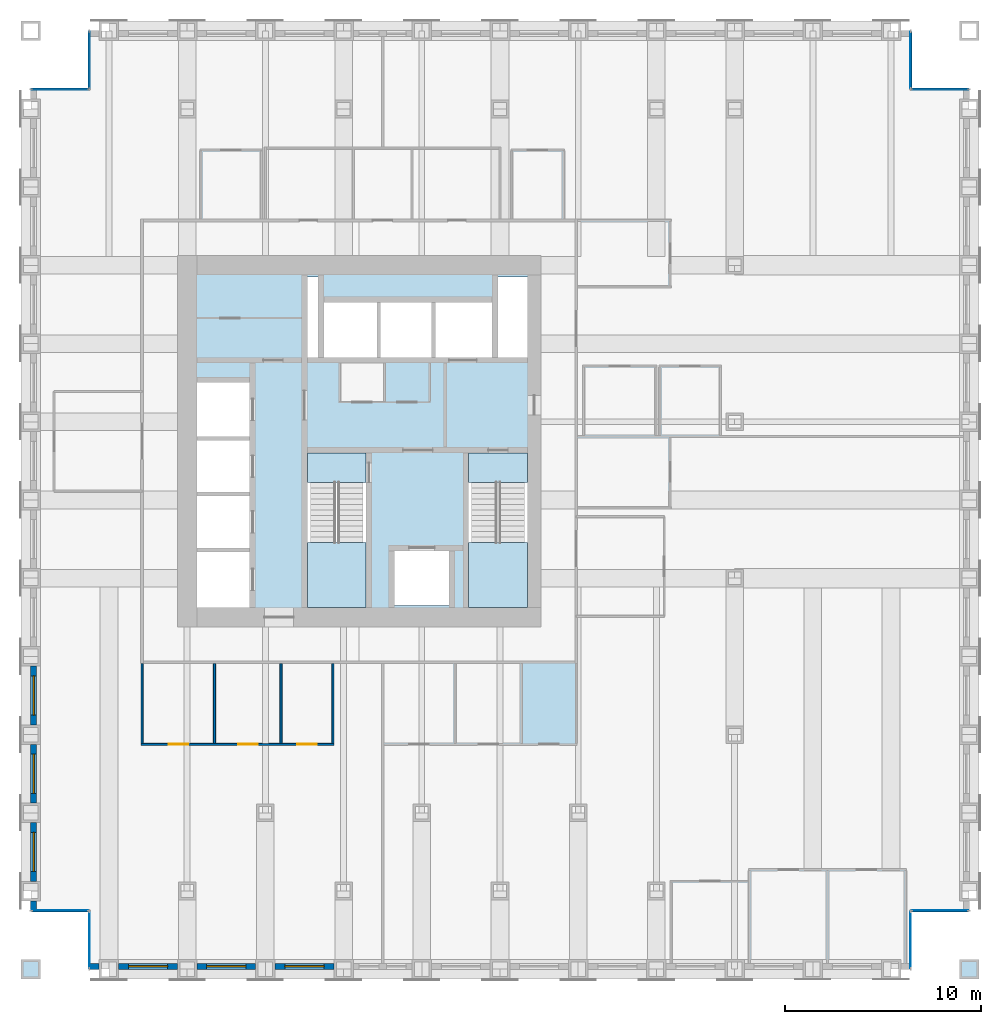
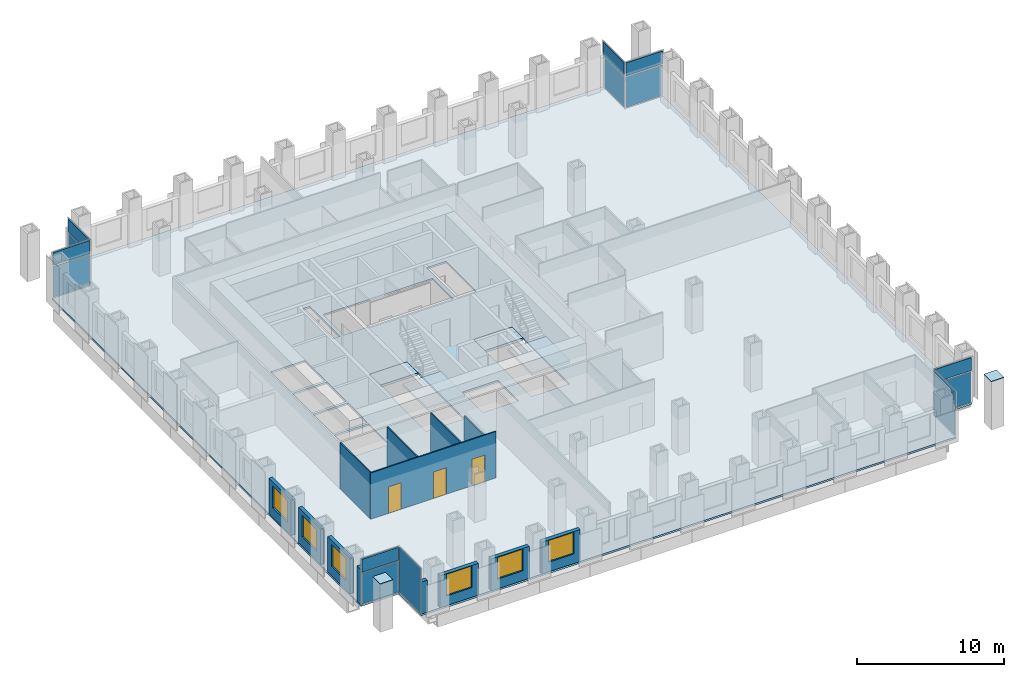
# One storey, part 10 of 17: 16 plates, 13 walls, 6 windows, 5 slabs, 3 doors, 9 openings, 16 elements without a shape of their own.
"""IFC4 building model written with IfcOpenShell, lengths in metres."""

import ifcopenshell
import ifcopenshell.guid

model = None  # the IFC model being written
_history = None  # IfcOwnerHistory: only IFC2X3 demands one
_inside = {}  # id of a spatial element -> (the spatial element, [elements in it])
_under = {}  # id of a project, library or spatial element -> (it, [spatial elements below it])
_declared = {}  # id of a project -> (the project, [libraries it declares])
_typed = {}  # id of a type object -> (the type object, [elements of that type])
_made_of = {}  # id of a material, layer set ... -> (it, [elements and type objects made of it])


def new_model(schema):
    """Start an empty IFC model of exactly this schema.

    Asked for "IFC4X3", IfcOpenShell would pick the latest addendum, in which some entities
    have other attributes; the version numbers below select the first issue.
    IFC2X3 requires an IfcOwnerHistory on every rooted entity: one is made here for all.
    """
    global model, _history
    if schema == "IFC4X3":
        model = ifcopenshell.file(schema_version=(4, 3, 0, 0))
    else:
        model = ifcopenshell.file(schema=schema)
    _inside.clear()
    _under.clear()
    _declared.clear()
    _typed.clear()
    _made_of.clear()
    _history = None
    if model.schema == "IFC2X3":
        org = make("IfcOrganization", Name="unknown")
        user = make(
            "IfcPersonAndOrganization",
            ThePerson=make("IfcPerson", FamilyName="unknown"),
            TheOrganization=org,
        )
        app = make(
            "IfcApplication",
            ApplicationDeveloper=org,
            Version="unknown",
            ApplicationFullName="unknown",
            ApplicationIdentifier="unknown",
        )
        _history = make(
            "IfcOwnerHistory",
            OwningUser=user,
            OwningApplication=app,
            ChangeAction="ADDED",
            CreationDate=0,
        )
    return model


def make(cls, **values):
    """One entity of the class cls with the attributes given. An attribute that is None is left unset."""
    return model.create_entity(
        cls, **{name: value for name, value in values.items() if value is not None}
    )


def rooted(cls, **values):
    """An entity with a GlobalId (a new one), such as an element, a storey or a relation."""
    return make(cls, GlobalId=ifcopenshell.guid.new(), OwnerHistory=_history, **values)


def si_unit(unit_type, name, prefix=None):
    """IfcSIUnit, for example si_unit("LENGTHUNIT", "METRE", prefix="MILLI")."""
    return make("IfcSIUnit", UnitType=unit_type, Prefix=prefix, Name=name)


def assignment(units):
    """IfcUnitAssignment: the units of a project."""
    return None if units is None else make("IfcUnitAssignment", Units=units)


def point(xyz):
    """IfcCartesianPoint."""
    return None if xyz is None else make("IfcCartesianPoint", Coordinates=xyz)


def direction(xyz):
    """IfcDirection."""
    return None if xyz is None else make("IfcDirection", DirectionRatios=xyz)


def frame(location, z_axis=None, x_axis=None):
    """IfcAxis2Placement3D, a coordinate frame: its origin and axes. An axis left out is left unset."""
    return make(
        "IfcAxis2Placement3D",
        Location=point(location),
        Axis=direction(z_axis),
        RefDirection=direction(x_axis),
    )


def frame_2d(location, x_axis=None):
    """IfcAxis2Placement2D, a coordinate frame in the plane: its origin and x axis."""
    return make(
        "IfcAxis2Placement2D", Location=point(location), RefDirection=direction(x_axis)
    )


def origin():
    """The frame at (0, 0, 0) with its axes left unset."""
    return frame((0.0, 0.0, 0.0))


def origin_2d():
    """The frame at (0, 0) in the plane with its x axis left unset."""
    return frame_2d((0.0, 0.0))


def place(relative_to, where):
    """IfcLocalPlacement: puts the frame where relative to a parent placement (None: the world)."""
    return make(
        "IfcLocalPlacement", PlacementRelTo=relative_to, RelativePlacement=where
    )


def context(
    kind, dimensions, precision=None, world=None, true_north=None, identifier=None
):
    """IfcGeometricRepresentationContext, for example the 3D "Model" context."""
    return make(
        "IfcGeometricRepresentationContext",
        ContextIdentifier=identifier,
        ContextType=kind,
        CoordinateSpaceDimension=dimensions,
        Precision=precision,
        WorldCoordinateSystem=world,
        TrueNorth=true_north,
    )


def subcontext(parent, identifier, kind, view, scale=None):
    """IfcGeometricRepresentationSubContext, for example "Body" below "Model"."""
    return make(
        "IfcGeometricRepresentationSubContext",
        ContextIdentifier=identifier,
        ContextType=kind,
        ParentContext=parent,
        TargetScale=scale,
        TargetView=view,
    )


def project(units=None, contexts=None):
    """IfcProject with its units and contexts."""
    return rooted(
        "IfcProject",
        Name="project",
        RepresentationContexts=contexts,
        UnitsInContext=assignment(units),
    )


def spatial(cls, under=None, at=None, **own):
    """A site, building, storey or space (cls), placed at a placement, below another one or the project."""
    s = rooted(cls, ObjectPlacement=at, **own)
    if under is not None:
        _under.setdefault(under.id(), (under, []))[1].append(s)
    return s


def polyline(points):
    """IfcPolyline through the points."""
    return make("IfcPolyline", Points=[point(p) for p in points])


def profile(cls, at=None, kind="AREA", **sizes):
    """A parametric profile (cls). Its sizes go by their IFC names, for example OverallWidth=200.0."""
    return make(cls, ProfileType=kind, Position=at, **sizes)


def rectangle(**sizes):
    """IfcRectangleProfileDef."""
    return profile("IfcRectangleProfileDef", **sizes)


def outline(outer, holes=None, kind="AREA"):
    """IfcArbitraryClosedProfileDef: a profile drawn as a closed curve; with holes, ...WithVoids."""
    if holes is None:
        return make("IfcArbitraryClosedProfileDef", ProfileType=kind, OuterCurve=outer)
    return make(
        "IfcArbitraryProfileDefWithVoids",
        ProfileType=kind,
        OuterCurve=outer,
        InnerCurves=holes,
    )


def extrude(swept, where, along, depth):
    """IfcExtrudedAreaSolid: the profile swept, set in the frame where, extruded along a direction by depth."""
    return make(
        "IfcExtrudedAreaSolid",
        SweptArea=swept,
        Position=where,
        ExtrudedDirection=direction(along),
        Depth=depth,
    )


def shape(context_of_items, identifier, shape_type, items):
    """IfcShapeRepresentation: the items that make up one representation, for example the "Body"."""
    return make(
        "IfcShapeRepresentation",
        ContextOfItems=context_of_items,
        RepresentationIdentifier=identifier,
        RepresentationType=shape_type,
        Items=items,
    )


def material(Name=None, Category=None):
    """IfcMaterial."""
    return make("IfcMaterial", Name=Name, Category=Category)


def layer(
    of_material, thickness, ventilated=None, Name=None, Category=None, Priority=None
):
    """IfcMaterialLayer: one layer of a wall or slab, of a material (None: an air gap)."""
    return make(
        "IfcMaterialLayer",
        Material=of_material,
        LayerThickness=thickness,
        IsVentilated=ventilated,
        Name=Name,
        Category=Category,
        Priority=Priority,
    )


def layer_set(layers, Name=None):
    """IfcMaterialLayerSet."""
    return make("IfcMaterialLayerSet", MaterialLayers=layers, LayerSetName=Name)


def made_of(thing, what):
    """Note that an element or type object is made of a material, layer set ...; save() writes the relation."""
    if what is not None:
        _made_of.setdefault(what.id(), (what, []))[1].append(thing)
    return thing


def type_object(cls, material=None, **own):
    """A type object (cls), such as IfcWallType, which elements share."""
    return made_of(rooted(cls, **own), material)


def element(
    cls,
    number,
    at=None,
    inside=None,
    cuts=None,
    type_object=None,
    material=None,
    context=None,
    identifier="Body",
    shape_type=None,
    held_by="IfcProductDefinitionShape",
    body=None,
    shapes=None,
    **own,
):
    """One element of the class cls, such as IfcWall. Its Tag is "e" and its number.

    at: its placement. inside: the storey or other place that contains it. cuts: it is an
    opening in that element (IfcRelVoidsElement). A single representation is given by context,
    identifier, shape_type and body (its items); several are given by shapes. held_by: the class
    of the entity that holds the representations. save() writes the other relations.
    """
    e = rooted(cls, Tag="e%d" % number, ObjectPlacement=at, **own)
    if body is not None:
        shapes = [shape(context, identifier, shape_type, body)]
    if shapes is not None:
        e.Representation = make(held_by, Representations=shapes)
    if inside is not None:
        _inside.setdefault(inside.id(), (inside, []))[1].append(e)
    if cuts is not None:
        rooted(
            "IfcRelVoidsElement", RelatingBuildingElement=cuts, RelatedOpeningElement=e
        )
    if type_object is not None:
        _typed.setdefault(type_object.id(), (type_object, []))[1].append(e)
    return made_of(e, material)


def fill(opening, filler):
    """IfcRelFillsElement: the door or window that sits in an opening."""
    return rooted(
        "IfcRelFillsElement",
        RelatingOpeningElement=opening,
        RelatedBuildingElement=filler,
    )


def aggregate(whole, parts):
    """IfcRelAggregates: a whole, such as a stair, and the parts it consists of."""
    return rooted("IfcRelAggregates", RelatingObject=whole, RelatedObjects=parts)


def save(model, path):
    """Write the relations noted so far, then the file.

    IfcRelAggregates (storeys below a building ...), IfcRelContainedInSpatialStructure (elements
    in a storey), IfcRelDefinesByType, IfcRelAssociatesMaterial and IfcRelDeclares: one each for
    every whole, place, type object, material and project.
    """
    for whole, parts in _under.values():
        aggregate(whole, parts)
    for where, things in _inside.values():
        rooted(
            "IfcRelContainedInSpatialStructure",
            RelatedElements=things,
            RelatingStructure=where,
        )
    for kind, things in _typed.values():
        rooted("IfcRelDefinesByType", RelatedObjects=things, RelatingType=kind)
    for what, things in _made_of.values():
        rooted("IfcRelAssociatesMaterial", RelatedObjects=things, RelatingMaterial=what)
    for by, libraries in _declared.values():
        rooted("IfcRelDeclares", RelatingContext=by, RelatedDefinitions=libraries)
    model.write(path)


model = new_model("IFC4")

# Units and contexts
model_context = context("Model", 3, precision=1e-05, world=origin(), true_north=direction((0.0, 1.0)))
body_context = subcontext(model_context, "Body", "Model", "MODEL_VIEW")
ifc_project = project(units=[si_unit("LENGTHUNIT", "METRE"), si_unit("AREAUNIT", "SQUARE_METRE"), si_unit("VOLUMEUNIT", "CUBIC_METRE"), si_unit("PLANEANGLEUNIT", "RADIAN"), si_unit("MASSUNIT", "GRAM", prefix="KILO")], contexts=[model_context])

# Site, building, storey
site_placement = place(None, origin())
site = spatial("IfcSite", under=ifc_project, at=site_placement, CompositionType="ELEMENT")
building_placement = place(site_placement, origin())
building = spatial("IfcBuilding", under=site, at=building_placement, Name="Rimbunsela Tower", CompositionType="ELEMENT")
storey_placement = place(building_placement, frame((0.0, 0.0, 101.39990234375)))
storey = spatial("IfcBuildingStorey", under=building, at=storey_placement, Name="L24", CompositionType="ELEMENT", Elevation=101.39990234375)

# Plates
ifc_material_1 = material(Name="Steel BJ 55 (fy 410 MPa)", Category="steel")
ifc_layer_1 = layer(ifc_material_1, 0.050048828125)
ifc_layer_set_1 = layer_set([ifc_layer_1], Name="End cap plate 50")
plate_type_1 = type_object("IfcPlateType", Name="End cap plate 50", PredefinedType="SHEET", material=ifc_layer_set_1)
for number, where, z_axis, x_axis, name in (
    (1, (10.0, 0.0, 4.0), (0.0, 0.0, 1.0), (1.0, 0.0, 0.0), "End cap Column C8 5/B L24"),
    (2, (58.0, 0.0, 4.0), (0.0, 0.0, 1.0), (1.0, 0.0, 0.0), "End cap Column C8 17/B L24"),
):
    element("IfcPlate", number, at=place(storey_placement, frame(where, z_axis=z_axis, x_axis=x_axis)), inside=storey, type_object=plate_type_1, Name=name, PredefinedType="SHEET", context=body_context, shape_type="SweptSolid", body=[
        extrude(rectangle(XDim=1.0, YDim=1.0, at=origin_2d()), origin(), (0.0, 0.0, 1.0), 0.050048828125),
    ])

# Slab
ifc_material_2 = material(Name="Concrete fc' 35 MPa", Category="concrete")
ifc_layer_2 = layer(ifc_material_2, 0.14990234375)
ifc_layer_set_2 = layer_set([ifc_layer_2], Name="Floor slab 150")
slab_type_1 = type_object("IfcSlabType", Name="Floor slab 150", PredefinedType="FLOOR", material=ifc_layer_set_2)
slab_1_placement = place(storey_placement, frame((0.0, 0.0, -0.14990234375)))
element("IfcSlab", 3, at=slab_1_placement, inside=storey, type_object=slab_type_1, Name="Floor slab L24", PredefinedType="FLOOR", context=body_context, shape_type="SweptSolid", body=[
    extrude(outline(polyline([(13.0, 0.0), (55.0, 0.0), (55.0, 3.0), (58.0, 3.0), (58.0, 45.0), (55.0, 45.0), (55.0, 48.0), (13.0, 48.0), (13.0, 45.0), (10.0, 45.0), (10.0, 3.0), (13.0, 3.0), (13.0, 0.0)]), holes=[polyline([(21.199951171875, 21.35009765625), (18.5, 21.35009765625), (18.5, 18.5), (21.199951171875, 18.5), (21.199951171875, 21.35009765625)]), polyline([(21.199951171875, 21.550048828125), (21.199951171875, 24.199951171875), (18.5, 24.199951171875), (18.5, 21.550048828125), (21.199951171875, 21.550048828125)]), polyline([(21.199951171875, 27.050048828125), (18.5, 27.050048828125), (18.5, 24.39990234375), (21.199951171875, 24.39990234375), (21.199951171875, 27.050048828125)]), polyline([(21.199951171875, 27.25), (21.199951171875, 30.0), (18.5, 30.0), (18.5, 27.25), (21.199951171875, 27.25)]), polyline([(27.14990234375, 18.60009765625), (27.14990234375, 26.39990234375), (24.14990234375, 26.39990234375), (24.14990234375, 18.60009765625), (27.14990234375, 18.60009765625)]), polyline([(24.699951171875, 31.300048828125), (24.699951171875, 35.39990234375), (24.14990234375, 35.39990234375), (24.14990234375, 31.300048828125), (24.699951171875, 31.300048828125)]), polyline([(25.0, 34.10009765625), (25.0, 31.300048828125), (33.60009765625, 31.300048828125), (33.60009765625, 34.10009765625), (25.0, 34.10009765625)]), polyline([(31.39990234375, 21.39990234375), (28.60009765625, 21.39990234375), (28.60009765625, 18.60009765625), (31.39990234375, 18.60009765625), (31.39990234375, 21.39990234375)]), polyline([(35.39990234375, 18.60009765625), (35.39990234375, 26.39990234375), (32.39990234375, 26.39990234375), (32.39990234375, 18.60009765625), (35.39990234375, 18.60009765625)]), polyline([(35.39990234375, 31.300048828125), (35.39990234375, 35.39990234375), (33.89990234375, 35.39990234375), (33.89990234375, 31.300048828125), (35.39990234375, 31.300048828125)])]), origin(), (0.0, 0.0, 1.0), 0.14990234375),
])

# Curtain wall, plate
ifc_material_3 = material(Name="Aluminium curtain wall", Category="aluminium")
curtain_wall_type_1 = type_object("IfcCurtainWallType", Name="Corner glazing", PredefinedType="USERDEFINED", material=ifc_material_3)
curtain_wall_1_placement = place(storey_placement, origin())
curtain_wall_1 = element("IfcCurtainWall", 4, at=curtain_wall_1_placement, inside=storey, type_object=curtain_wall_type_1, Name="Corner glazing L24", ObjectType="CORNER GLAZING", PredefinedType="USERDEFINED")
ifc_material_4 = material(Name="Clear double glazing", Category="glass")
ifc_layer_3 = layer(ifc_material_4, 0.028076171875)
ifc_layer_set_3 = layer_set([ifc_layer_3], Name="Glazed panel clear")
plate_type_2 = type_object("IfcPlateType", Name="Glazed panel clear", PredefinedType="CURTAIN_PANEL", material=ifc_layer_set_3)
plate_1_placement = place(storey_placement, frame((55.0, 1.5, 0.06005859375), z_axis=(0.0, 0.0, 1.0), x_axis=(0.0, 1.0, 0.0)))
plate_1 = element("IfcPlate", 5, at=plate_1_placement, type_object=plate_type_2, Name="CW5 panel 1.1", PredefinedType="CURTAIN_PANEL", context=body_context, shape_type="SweptSolid", body=[
    extrude(rectangle(XDim=2.8798828125, YDim=0.028076171875, at=origin_2d()), origin(), (0.0, 0.0, 1.0), 3.72998046875),
])
aggregate(curtain_wall_1, [plate_1])

curtain_wall_2_placement = place(storey_placement, origin())
curtain_wall_2 = element("IfcCurtainWall", 6, at=curtain_wall_2_placement, inside=storey, type_object=curtain_wall_type_1, Name="Corner glazing L24", ObjectType="CORNER GLAZING", PredefinedType="USERDEFINED")
plate_2_placement = place(storey_placement, frame((56.5, 3.0, 0.06005859375), z_axis=(0.0, 0.0, 1.0), x_axis=(1.0, 0.0, 0.0)))
plate_2 = element("IfcPlate", 7, at=plate_2_placement, type_object=plate_type_2, Name="CW5 panel 1.1", PredefinedType="CURTAIN_PANEL", context=body_context, shape_type="SweptSolid", body=[
    extrude(rectangle(XDim=2.8798828125, YDim=0.028076171875, at=origin_2d()), origin(), (0.0, 0.0, 1.0), 2.530029296875),
])
aggregate(curtain_wall_2, [plate_2])

curtain_wall_3_placement = place(storey_placement, origin())
curtain_wall_3 = element("IfcCurtainWall", 8, at=curtain_wall_3_placement, inside=storey, type_object=curtain_wall_type_1, Name="Corner glazing L24", ObjectType="CORNER GLAZING", PredefinedType="USERDEFINED")
plate_3_placement = place(storey_placement, frame((56.5, 45.0, 0.06005859375), z_axis=(0.0, 0.0, 1.0), x_axis=(-1.0, 0.0, 0.0)))
plate_3 = element("IfcPlate", 9, at=plate_3_placement, type_object=plate_type_2, Name="CW5 panel 1.1", PredefinedType="CURTAIN_PANEL", context=body_context, shape_type="SweptSolid", body=[
    extrude(rectangle(XDim=2.8798828125, YDim=0.028076171875, at=origin_2d()), origin(), (0.0, 0.0, 1.0), 2.530029296875),
])
aggregate(curtain_wall_3, [plate_3])

curtain_wall_4_placement = place(storey_placement, origin())
curtain_wall_4 = element("IfcCurtainWall", 10, at=curtain_wall_4_placement, inside=storey, type_object=curtain_wall_type_1, Name="Corner glazing L24", ObjectType="CORNER GLAZING", PredefinedType="USERDEFINED")
plate_4_placement = place(storey_placement, frame((55.0, 46.5, 0.06005859375), z_axis=(0.0, 0.0, 1.0), x_axis=(0.0, 1.0, 0.0)))
plate_4 = element("IfcPlate", 11, at=plate_4_placement, type_object=plate_type_2, Name="CW5 panel 1.1", PredefinedType="CURTAIN_PANEL", context=body_context, shape_type="SweptSolid", body=[
    extrude(rectangle(XDim=2.8798828125, YDim=0.028076171875, at=origin_2d()), origin(), (0.0, 0.0, 1.0), 2.530029296875),
])
aggregate(curtain_wall_4, [plate_4])

curtain_wall_5_placement = place(storey_placement, origin())
curtain_wall_5 = element("IfcCurtainWall", 12, at=curtain_wall_5_placement, inside=storey, type_object=curtain_wall_type_1, Name="Corner glazing L24", ObjectType="CORNER GLAZING", PredefinedType="USERDEFINED")
plate_5_placement = place(storey_placement, frame((13.0, 46.5, 0.06005859375), z_axis=(0.0, 0.0, 1.0), x_axis=(0.0, -1.0, 0.0)))
plate_5 = element("IfcPlate", 13, at=plate_5_placement, type_object=plate_type_2, Name="CW5 panel 1.1", PredefinedType="CURTAIN_PANEL", context=body_context, shape_type="SweptSolid", body=[
    extrude(rectangle(XDim=2.8798828125, YDim=0.028076171875, at=origin_2d()), origin(), (0.0, 0.0, 1.0), 2.530029296875),
])
aggregate(curtain_wall_5, [plate_5])

curtain_wall_6_placement = place(storey_placement, origin())
curtain_wall_6 = element("IfcCurtainWall", 14, at=curtain_wall_6_placement, inside=storey, type_object=curtain_wall_type_1, Name="Corner glazing L24", ObjectType="CORNER GLAZING", PredefinedType="USERDEFINED")
plate_6_placement = place(storey_placement, frame((11.5, 45.0, 0.06005859375), z_axis=(0.0, 0.0, 1.0), x_axis=(-1.0, 0.0, 0.0)))
plate_6 = element("IfcPlate", 15, at=plate_6_placement, type_object=plate_type_2, Name="CW5 panel 1.1", PredefinedType="CURTAIN_PANEL", context=body_context, shape_type="SweptSolid", body=[
    extrude(rectangle(XDim=2.8798828125, YDim=0.028076171875, at=origin_2d()), origin(), (0.0, 0.0, 1.0), 2.530029296875),
])
aggregate(curtain_wall_6, [plate_6])

curtain_wall_7_placement = place(storey_placement, origin())
curtain_wall_7 = element("IfcCurtainWall", 16, at=curtain_wall_7_placement, inside=storey, type_object=curtain_wall_type_1, Name="Corner glazing L24", ObjectType="CORNER GLAZING", PredefinedType="USERDEFINED")
plate_7_placement = place(storey_placement, frame((11.5, 3.0, 0.06005859375), z_axis=(0.0, 0.0, 1.0), x_axis=(1.0, 0.0, 0.0)))
plate_7 = element("IfcPlate", 17, at=plate_7_placement, type_object=plate_type_2, Name="CW5 panel 1.1", PredefinedType="CURTAIN_PANEL", context=body_context, shape_type="SweptSolid", body=[
    extrude(rectangle(XDim=2.8798828125, YDim=0.028076171875, at=origin_2d()), origin(), (0.0, 0.0, 1.0), 2.530029296875),
])
aggregate(curtain_wall_7, [plate_7])

curtain_wall_8_placement = place(storey_placement, origin())
curtain_wall_8 = element("IfcCurtainWall", 18, at=curtain_wall_8_placement, inside=storey, type_object=curtain_wall_type_1, Name="Corner glazing L24", ObjectType="CORNER GLAZING", PredefinedType="USERDEFINED")
plate_8_placement = place(storey_placement, frame((13.0, 1.5, 0.06005859375), z_axis=(0.0, 0.0, 1.0), x_axis=(0.0, -1.0, 0.0)))
plate_8 = element("IfcPlate", 19, at=plate_8_placement, type_object=plate_type_2, Name="CW5 panel 1.1", PredefinedType="CURTAIN_PANEL", context=body_context, shape_type="SweptSolid", body=[
    extrude(rectangle(XDim=2.8798828125, YDim=0.028076171875, at=origin_2d()), origin(), (0.0, 0.0, 1.0), 3.72998046875),
])
aggregate(curtain_wall_8, [plate_8])

ifc_material_5 = material(Name="Aluminium curtain wall", Category="aluminium")
curtain_wall_type_2 = type_object("IfcCurtainWallType", Name="Spandrel wall", PredefinedType="USERDEFINED", material=ifc_material_5)
curtain_wall_9_placement = place(storey_placement, origin())
curtain_wall_9 = element("IfcCurtainWall", 20, at=curtain_wall_9_placement, inside=storey, type_object=curtain_wall_type_2, Name="Spandrel wall L24", ObjectType="SPANDREL WALL", PredefinedType="USERDEFINED")
ifc_material_6 = material(Name="Insulated aluminium spandrel panel", Category="aluminium")
ifc_layer_4 = layer(ifc_material_6, 0.10009765625)
ifc_layer_set_4 = layer_set([ifc_layer_4], Name="Insulated panel 100")
plate_type_3 = type_object("IfcPlateType", Name="Insulated panel 100", PredefinedType="CURTAIN_PANEL", material=ifc_layer_set_4)
plate_9_placement = place(storey_placement, frame((56.5, 3.0, 2.7099609375), z_axis=(0.0, 0.0, 1.0), x_axis=(1.0, 0.0, 0.0)))
plate_9 = element("IfcPlate", 21, at=plate_9_placement, type_object=plate_type_3, Name="CW7 panel 1.1", PredefinedType="CURTAIN_PANEL", context=body_context, shape_type="SweptSolid", body=[
    extrude(rectangle(XDim=2.8798828125, YDim=0.10009765625, at=origin_2d()), origin(), (0.0, 0.0, 1.0), 1.080078125),
])
aggregate(curtain_wall_9, [plate_9])

curtain_wall_10_placement = place(storey_placement, origin())
curtain_wall_10 = element("IfcCurtainWall", 22, at=curtain_wall_10_placement, inside=storey, type_object=curtain_wall_type_2, Name="Spandrel wall L24", ObjectType="SPANDREL WALL", PredefinedType="USERDEFINED")
plate_10_placement = place(storey_placement, frame((56.5, 45.0, 2.7099609375), z_axis=(0.0, 0.0, 1.0), x_axis=(-1.0, 0.0, 0.0)))
plate_10 = element("IfcPlate", 23, at=plate_10_placement, type_object=plate_type_3, Name="CW7 panel 1.1", PredefinedType="CURTAIN_PANEL", context=body_context, shape_type="SweptSolid", body=[
    extrude(rectangle(XDim=2.8798828125, YDim=0.10009765625, at=origin_2d()), origin(), (0.0, 0.0, 1.0), 1.080078125),
])
aggregate(curtain_wall_10, [plate_10])

curtain_wall_11_placement = place(storey_placement, origin())
curtain_wall_11 = element("IfcCurtainWall", 24, at=curtain_wall_11_placement, inside=storey, type_object=curtain_wall_type_2, Name="Spandrel wall L24", ObjectType="SPANDREL WALL", PredefinedType="USERDEFINED")
plate_11_placement = place(storey_placement, frame((55.0, 46.5, 2.7099609375), z_axis=(0.0, 0.0, 1.0), x_axis=(0.0, 1.0, 0.0)))
plate_11 = element("IfcPlate", 25, at=plate_11_placement, type_object=plate_type_3, Name="CW7 panel 1.1", PredefinedType="CURTAIN_PANEL", context=body_context, shape_type="SweptSolid", body=[
    extrude(rectangle(XDim=2.8798828125, YDim=0.10009765625, at=origin_2d()), origin(), (0.0, 0.0, 1.0), 1.080078125),
])
aggregate(curtain_wall_11, [plate_11])

curtain_wall_12_placement = place(storey_placement, origin())
curtain_wall_12 = element("IfcCurtainWall", 26, at=curtain_wall_12_placement, inside=storey, type_object=curtain_wall_type_2, Name="Spandrel wall L24", ObjectType="SPANDREL WALL", PredefinedType="USERDEFINED")
plate_12_placement = place(storey_placement, frame((13.0, 46.5, 2.7099609375), z_axis=(0.0, 0.0, 1.0), x_axis=(0.0, -1.0, 0.0)))
plate_12 = element("IfcPlate", 27, at=plate_12_placement, type_object=plate_type_3, Name="CW7 panel 1.1", PredefinedType="CURTAIN_PANEL", context=body_context, shape_type="SweptSolid", body=[
    extrude(rectangle(XDim=2.8798828125, YDim=0.10009765625, at=origin_2d()), origin(), (0.0, 0.0, 1.0), 1.080078125),
])
aggregate(curtain_wall_12, [plate_12])

curtain_wall_13_placement = place(storey_placement, origin())
curtain_wall_13 = element("IfcCurtainWall", 28, at=curtain_wall_13_placement, inside=storey, type_object=curtain_wall_type_2, Name="Spandrel wall L24", ObjectType="SPANDREL WALL", PredefinedType="USERDEFINED")
plate_13_placement = place(storey_placement, frame((11.5, 45.0, 2.7099609375), z_axis=(0.0, 0.0, 1.0), x_axis=(-1.0, 0.0, 0.0)))
plate_13 = element("IfcPlate", 29, at=plate_13_placement, type_object=plate_type_3, Name="CW7 panel 1.1", PredefinedType="CURTAIN_PANEL", context=body_context, shape_type="SweptSolid", body=[
    extrude(rectangle(XDim=2.8798828125, YDim=0.10009765625, at=origin_2d()), origin(), (0.0, 0.0, 1.0), 1.080078125),
])
aggregate(curtain_wall_13, [plate_13])

curtain_wall_14_placement = place(storey_placement, origin())
curtain_wall_14 = element("IfcCurtainWall", 30, at=curtain_wall_14_placement, inside=storey, type_object=curtain_wall_type_2, Name="Spandrel wall L24", ObjectType="SPANDREL WALL", PredefinedType="USERDEFINED")
plate_14_placement = place(storey_placement, frame((11.5, 3.0, 2.7099609375), z_axis=(0.0, 0.0, 1.0), x_axis=(1.0, 0.0, 0.0)))
plate_14 = element("IfcPlate", 31, at=plate_14_placement, type_object=plate_type_3, Name="CW7 panel 1.1", PredefinedType="CURTAIN_PANEL", context=body_context, shape_type="SweptSolid", body=[
    extrude(rectangle(XDim=2.8798828125, YDim=0.10009765625, at=origin_2d()), origin(), (0.0, 0.0, 1.0), 1.080078125),
])
aggregate(curtain_wall_14, [plate_14])

# Stair, slabs
ifc_material_7 = material(Name="Concrete fc' 35 MPa", Category="concrete")
stair_type = type_object("IfcStairType", Name="Exit stair 24 risers", PredefinedType="HALF_TURN_STAIR", material=ifc_material_7)
stair_1_placement = place(storey_placement, origin())
stair_1 = element("IfcStair", 32, at=stair_1_placement, inside=storey, type_object=stair_type, Name="Exit stair A L24", PredefinedType="HALF_TURN_STAIR")
ifc_material_8 = material(Name="Concrete fc' 35 MPa", Category="concrete")
ifc_layer_5 = layer(ifc_material_8, 0.199951171875)
ifc_layer_set_5 = layer_set([ifc_layer_5], Name="Stair landing 200")
slab_type_2 = type_object("IfcSlabType", Name="Stair landing 200", PredefinedType="LANDING", material=ifc_layer_set_5)
slab_2_placement = place(storey_placement, frame((0.0, 0.0, -0.199951171875)))
slab_2 = element("IfcSlab", 33, at=slab_2_placement, type_object=slab_type_2, Name="ST-A landing 1", PredefinedType="LANDING", context=body_context, shape_type="SweptSolid", body=[
    extrude(outline(polyline([(24.14990234375, 24.89990234375), (27.14990234375, 24.89990234375), (27.14990234375, 26.39990234375), (24.14990234375, 26.39990234375), (24.14990234375, 24.89990234375)])), origin(), (0.0, 0.0, 1.0), 0.199951171875),
])
slab_3_placement = place(storey_placement, frame((0.0, 0.0, 1.800048828125)))
slab_3 = element("IfcSlab", 34, at=slab_3_placement, type_object=slab_type_2, Name="ST-A landing 2", PredefinedType="LANDING", context=body_context, shape_type="SweptSolid", body=[
    extrude(outline(polyline([(24.14990234375, 18.5), (27.14990234375, 18.5), (27.14990234375, 21.820068359375), (24.14990234375, 21.820068359375), (24.14990234375, 18.5)])), origin(), (0.0, 0.0, 1.0), 0.199951171875),
])
aggregate(stair_1, [slab_2, slab_3])

stair_2_placement = place(storey_placement, origin())
stair_2 = element("IfcStair", 35, at=stair_2_placement, inside=storey, type_object=stair_type, Name="Exit stair B L24", PredefinedType="HALF_TURN_STAIR")
slab_4_placement = place(storey_placement, frame((0.0, 0.0, -0.199951171875)))
slab_4 = element("IfcSlab", 36, at=slab_4_placement, type_object=slab_type_2, Name="ST-B landing 1", PredefinedType="LANDING", context=body_context, shape_type="SweptSolid", body=[
    extrude(outline(polyline([(32.39990234375, 24.89990234375), (35.39990234375, 24.89990234375), (35.39990234375, 26.39990234375), (32.39990234375, 26.39990234375), (32.39990234375, 24.89990234375)])), origin(), (0.0, 0.0, 1.0), 0.199951171875),
])
slab_5_placement = place(storey_placement, frame((0.0, 0.0, 1.800048828125)))
slab_5 = element("IfcSlab", 37, at=slab_5_placement, type_object=slab_type_2, Name="ST-B landing 2", PredefinedType="LANDING", context=body_context, shape_type="SweptSolid", body=[
    extrude(outline(polyline([(32.39990234375, 18.5), (35.39990234375, 18.5), (35.39990234375, 21.820068359375), (32.39990234375, 21.820068359375), (32.39990234375, 18.5)])), origin(), (0.0, 0.0, 1.0), 0.199951171875),
])
aggregate(stair_2, [slab_4, slab_5])

# Wall, openings, doors
ifc_material_9 = material(Name="Gypsum board on steel studs", Category="steel")
ifc_layer_6 = layer(ifc_material_9, 0.10009765625)
ifc_layer_set_6 = layer_set([ifc_layer_6], Name="Office partition 100")
wall_type_1 = type_object("IfcWallType", Name="Office partition 100", PredefinedType="PARTITIONING", material=ifc_layer_set_6)
wall_1_placement = place(storey_placement, frame((15.64990234375, 11.5, 0.0), z_axis=(0.0, 0.0, 1.0), x_axis=(1.0, 0.0, 0.0)))
wall_1 = element("IfcWall", 38, at=wall_1_placement, inside=storey, type_object=wall_type_1, Name="Office partition", PredefinedType="PARTITIONING", context=body_context, shape_type="SweptSolid", body=[
    extrude(rectangle(XDim=9.85009765625, YDim=0.10009765625, at=frame_2d((4.925048828125, 0.0))), origin(), (0.0, 0.0, 1.0), 3.85009765625),
])
opening_1_placement = place(wall_1_placement, frame((1.39990234375, 0.0, 0.0)))
opening_1 = element("IfcOpeningElement", 39, at=opening_1_placement, cuts=wall_1, Name="Opening D17", PredefinedType="OPENING", context=body_context, shape_type="SweptSolid", body=[
    extrude(rectangle(XDim=1.0, YDim=2.199951171875, at=frame_2d((0.5, 1.10009765625))), frame((0.0, 0.06005859375, 0.0), z_axis=(0.0, -1.0, 0.0), x_axis=(1.0, 0.0, 0.0)), (0.0, 0.0, 1.0), 0.1201171875),
])
opening_2_placement = place(wall_1_placement, frame((4.949951171875, 0.0, 0.0)))
opening_2 = element("IfcOpeningElement", 40, at=opening_2_placement, cuts=wall_1, Name="Opening D16", PredefinedType="OPENING", context=body_context, shape_type="SweptSolid", body=[
    extrude(rectangle(XDim=1.0, YDim=2.199951171875, at=frame_2d((0.5, 1.10009765625))), frame((0.0, 0.06005859375, 0.0), z_axis=(0.0, -1.0, 0.0), x_axis=(1.0, 0.0, 0.0)), (0.0, 0.0, 1.0), 0.1201171875),
])
opening_3_placement = place(wall_1_placement, frame((7.97509765625, 0.0, 0.0)))
opening_3 = element("IfcOpeningElement", 41, at=opening_3_placement, cuts=wall_1, Name="Opening D16", PredefinedType="OPENING", context=body_context, shape_type="SweptSolid", body=[
    extrude(rectangle(XDim=1.0, YDim=2.199951171875, at=frame_2d((0.5, 1.10009765625))), frame((0.0, 0.06005859375, 0.0), z_axis=(0.0, -1.0, 0.0), x_axis=(1.0, 0.0, 0.0)), (0.0, 0.0, 1.0), 0.1201171875),
])
ifc_material_10 = material(Name="Glazed aluminium door", Category="aluminium")
door_type_1 = type_object("IfcDoorType", Name="Meeting room door 1000 glazed", OperationType="SINGLE_SWING_RIGHT", PredefinedType="DOOR", material=ifc_material_10)
door_1_placement = place(opening_1_placement, origin())
door_1 = element("IfcDoor", 42, at=door_1_placement, inside=storey, type_object=door_type_1, Name="Meeting room door", OperationType="SINGLE_SWING_RIGHT", OverallHeight=2.199951171875, OverallWidth=1.0, PredefinedType="DOOR", context=body_context, shape_type="SweptSolid", body=[
    extrude(rectangle(XDim=1.0, YDim=2.199951171875, at=frame_2d((0.5, 1.10009765625))), frame((0.0, 0.02490234375, 0.0), z_axis=(0.0, -1.0, 0.0), x_axis=(1.0, 0.0, 0.0)), (0.0, 0.0, 1.0), 0.050048828125),
])
fill(opening_1, door_1)
ifc_material_11 = material(Name="Timber door", Category="wood")
door_type_2 = type_object("IfcDoorType", Name="Office door 1000", OperationType="SINGLE_SWING_LEFT", PredefinedType="DOOR", material=ifc_material_11)
door_2_placement = place(opening_2_placement, origin())
door_2 = element("IfcDoor", 43, at=door_2_placement, inside=storey, type_object=door_type_2, Name="Office door", OperationType="SINGLE_SWING_LEFT", OverallHeight=2.199951171875, OverallWidth=1.0, PredefinedType="DOOR", context=body_context, shape_type="SweptSolid", body=[
    extrude(rectangle(XDim=1.0, YDim=2.199951171875, at=frame_2d((0.5, 1.10009765625))), frame((0.0, 0.02490234375, 0.0), z_axis=(0.0, -1.0, 0.0), x_axis=(1.0, 0.0, 0.0)), (0.0, 0.0, 1.0), 0.050048828125),
])
fill(opening_2, door_2)
door_3_placement = place(opening_3_placement, origin())
door_3 = element("IfcDoor", 44, at=door_3_placement, inside=storey, type_object=door_type_2, Name="Office door", OperationType="SINGLE_SWING_LEFT", OverallHeight=2.199951171875, OverallWidth=1.0, PredefinedType="DOOR", context=body_context, shape_type="SweptSolid", body=[
    extrude(rectangle(XDim=1.0, YDim=2.199951171875, at=frame_2d((0.5, 1.10009765625))), frame((0.0, 0.02490234375, 0.0), z_axis=(0.0, -1.0, 0.0), x_axis=(1.0, 0.0, 0.0)), (0.0, 0.0, 1.0), 0.050048828125),
])
fill(opening_3, door_3)

# Walls
for number, where, z_axis, x_axis, name in (
    (45, (15.699951171875, 11.550048828125, 0.0), (0.0, 0.0, 1.0), (0.0, 1.0, 0.0), "Office partition"),
    (46, (19.39990234375, 11.550048828125, 0.0), (0.0, 0.0, 1.0), (0.0, 1.0, 0.0), "Office partition"),
    (47, (22.800048828125, 11.550048828125, 0.0), (0.0, 0.0, 1.0), (0.0, 1.0, 0.0), "Office partition"),
):
    element("IfcWall", number, at=place(storey_placement, frame(where, z_axis=z_axis, x_axis=x_axis)), inside=storey, type_object=wall_type_1, Name=name, PredefinedType="PARTITIONING", context=body_context, shape_type="SweptSolid", body=[
        extrude(rectangle(XDim=4.074951171875, YDim=0.10009765625, at=frame_2d((2.03759765625, 0.0))), origin(), (0.0, 0.0, 1.0), 3.85009765625),
    ])
wall_2_placement = place(storey_placement, frame((25.449951171875, 11.550048828125, 0.0), z_axis=(0.0, 0.0, 1.0), x_axis=(0.0, 1.0, 0.0)))
element("IfcWall", 48, at=wall_2_placement, inside=storey, type_object=wall_type_1, Name="Office partition", PredefinedType="PARTITIONING", context=body_context, shape_type="SweptSolid", body=[
    extrude(rectangle(XDim=4.074951171875, YDim=0.10009765625, at=frame_2d((2.03759765625, 0.0))), origin(), (0.0, 0.0, 1.0), 2.650146484375),
])
ifc_material_12 = material(Name="Precast concrete fc' 35 MPa", Category="concrete")
ifc_layer_7 = layer(ifc_material_12, 0.300048828125)
ifc_layer_set_7 = layer_set([ifc_layer_7], Name="Precast concrete fc' 35 MPa")
wall_type_2 = type_object("IfcWallType", Name="Precast facade panel 300", PredefinedType="ELEMENTEDWALL", material=ifc_layer_set_7)
wall_3_placement = place(storey_placement, frame((13.030029296875, 0.14990234375, 0.0), z_axis=(0.0, 0.0, 1.0), x_axis=(1.0, 0.0, 0.0)))
element("IfcWall", 49, at=wall_3_placement, inside=storey, type_object=wall_type_2, Name="Facade panel S L24", PredefinedType="ELEMENTEDWALL", context=body_context, shape_type="SweptSolid", body=[
    extrude(rectangle(XDim=0.469970703125, YDim=0.300048828125, at=frame_2d((0.23486328125, 0.0))), origin(), (0.0, 0.0, 1.0), 2.650146484375),
])

# Wall, opening, window
wall_4_placement = place(storey_placement, frame((14.5, 0.14990234375, 0.0), z_axis=(0.0, 0.0, 1.0), x_axis=(1.0, 0.0, 0.0)))
wall_4 = element("IfcWall", 50, at=wall_4_placement, inside=storey, type_object=wall_type_2, Name="Facade panel S L24", PredefinedType="ELEMENTEDWALL", context=body_context, shape_type="SweptSolid", body=[
    extrude(rectangle(XDim=3.0, YDim=0.300048828125, at=frame_2d((1.5, 0.0))), origin(), (0.0, 0.0, 1.0), 2.650146484375),
])
opening_4_placement = place(wall_4_placement, frame((0.5, 0.0, 0.800048828125)))
opening_4 = element("IfcOpeningElement", 51, at=opening_4_placement, cuts=wall_4, Name="Opening W7", PredefinedType="OPENING", context=body_context, shape_type="SweptSolid", body=[
    extrude(rectangle(XDim=2.0, YDim=1.800048828125, at=frame_2d((1.0, 0.89990234375))), frame((0.0, 0.159912109375, 0.0), z_axis=(0.0, -1.0, 0.0), x_axis=(1.0, 0.0, 0.0)), (0.0, 0.0, 1.0), 0.320068359375),
])
ifc_material_13 = material(Name="Clear glass in aluminium frame", Category="aluminium")
window_type = type_object("IfcWindowType", Name="Window W7 2000x1800", PartitioningType="DOUBLE_PANEL_VERTICAL", PredefinedType="WINDOW", material=ifc_material_13)
window_1_placement = place(opening_4_placement, origin())
window_1 = element("IfcWindow", 52, at=window_1_placement, inside=storey, type_object=window_type, Name="Window L24", OverallHeight=1.800048828125, OverallWidth=2.0, PartitioningType="SINGLE_PANEL", PredefinedType="WINDOW", context=body_context, shape_type="SweptSolid", body=[
    extrude(rectangle(XDim=2.0, YDim=1.800048828125, at=frame_2d((1.0, 0.89990234375))), frame((0.0, 0.030029296875, 0.0), z_axis=(0.0, -1.0, 0.0), x_axis=(1.0, 0.0, 0.0)), (0.0, 0.0, 1.0), 0.06005859375),
])
fill(opening_4, window_1)

wall_5_placement = place(storey_placement, frame((18.5, 0.14990234375, 0.0), z_axis=(0.0, 0.0, 1.0), x_axis=(1.0, 0.0, 0.0)))
wall_5 = element("IfcWall", 53, at=wall_5_placement, inside=storey, type_object=wall_type_2, Name="Facade panel S L24", PredefinedType="ELEMENTEDWALL", context=body_context, shape_type="SweptSolid", body=[
    extrude(rectangle(XDim=3.0, YDim=0.300048828125, at=frame_2d((1.5, 0.0))), origin(), (0.0, 0.0, 1.0), 2.650146484375),
])
opening_5_placement = place(wall_5_placement, frame((0.5, 0.0, 0.800048828125)))
opening_5 = element("IfcOpeningElement", 54, at=opening_5_placement, cuts=wall_5, Name="Opening W7", PredefinedType="OPENING", context=body_context, shape_type="SweptSolid", body=[
    extrude(rectangle(XDim=2.0, YDim=1.800048828125, at=frame_2d((1.0, 0.89990234375))), frame((0.0, 0.159912109375, 0.0), z_axis=(0.0, -1.0, 0.0), x_axis=(1.0, 0.0, 0.0)), (0.0, 0.0, 1.0), 0.320068359375),
])
window_2_placement = place(opening_5_placement, origin())
window_2 = element("IfcWindow", 55, at=window_2_placement, inside=storey, type_object=window_type, Name="Window L24", OverallHeight=1.800048828125, OverallWidth=2.0, PartitioningType="SINGLE_PANEL", PredefinedType="WINDOW", context=body_context, shape_type="SweptSolid", body=[
    extrude(rectangle(XDim=2.0, YDim=1.800048828125, at=frame_2d((1.0, 0.89990234375))), frame((0.0, 0.030029296875, 0.0), z_axis=(0.0, -1.0, 0.0), x_axis=(1.0, 0.0, 0.0)), (0.0, 0.0, 1.0), 0.06005859375),
])
fill(opening_5, window_2)

wall_6_placement = place(storey_placement, frame((22.5, 0.14990234375, 0.0), z_axis=(0.0, 0.0, 1.0), x_axis=(1.0, 0.0, 0.0)))
wall_6 = element("IfcWall", 56, at=wall_6_placement, inside=storey, type_object=wall_type_2, Name="Facade panel S L24", PredefinedType="ELEMENTEDWALL", context=body_context, shape_type="SweptSolid", body=[
    extrude(rectangle(XDim=3.0, YDim=0.300048828125, at=frame_2d((1.5, 0.0))), origin(), (0.0, 0.0, 1.0), 2.650146484375),
])
opening_6_placement = place(wall_6_placement, frame((0.5, 0.0, 0.800048828125)))
opening_6 = element("IfcOpeningElement", 57, at=opening_6_placement, cuts=wall_6, Name="Opening W7", PredefinedType="OPENING", context=body_context, shape_type="SweptSolid", body=[
    extrude(rectangle(XDim=2.0, YDim=1.800048828125, at=frame_2d((1.0, 0.89990234375))), frame((0.0, 0.159912109375, 0.0), z_axis=(0.0, -1.0, 0.0), x_axis=(1.0, 0.0, 0.0)), (0.0, 0.0, 1.0), 0.320068359375),
])
window_3_placement = place(opening_6_placement, origin())
window_3 = element("IfcWindow", 58, at=window_3_placement, inside=storey, type_object=window_type, Name="Window L24", OverallHeight=1.800048828125, OverallWidth=2.0, PartitioningType="SINGLE_PANEL", PredefinedType="WINDOW", context=body_context, shape_type="SweptSolid", body=[
    extrude(rectangle(XDim=2.0, YDim=1.800048828125, at=frame_2d((1.0, 0.89990234375))), frame((0.0, 0.030029296875, 0.0), z_axis=(0.0, -1.0, 0.0), x_axis=(1.0, 0.0, 0.0)), (0.0, 0.0, 1.0), 0.06005859375),
])
fill(opening_6, window_3)

# Wall
wall_7_placement = place(storey_placement, frame((10.14990234375, 3.5, 0.0), z_axis=(0.0, 0.0, 1.0), x_axis=(0.0, -1.0, 0.0)))
element("IfcWall", 59, at=wall_7_placement, inside=storey, type_object=wall_type_2, Name="Facade panel W L24", PredefinedType="ELEMENTEDWALL", context=body_context, shape_type="SweptSolid", body=[
    extrude(rectangle(XDim=0.469970703125, YDim=0.300048828125, at=frame_2d((0.23486328125, 0.0))), origin(), (0.0, 0.0, 1.0), 2.9501953125),
])

# Wall, opening, window
wall_8_placement = place(storey_placement, frame((10.14990234375, 7.5, 0.0), z_axis=(0.0, 0.0, 1.0), x_axis=(0.0, -1.0, 0.0)))
wall_8 = element("IfcWall", 60, at=wall_8_placement, inside=storey, type_object=wall_type_2, Name="Facade panel W L24", PredefinedType="ELEMENTEDWALL", context=body_context, shape_type="SweptSolid", body=[
    extrude(rectangle(XDim=3.0, YDim=0.300048828125, at=frame_2d((1.5, 0.0))), origin(), (0.0, 0.0, 1.0), 2.9501953125),
])
opening_7_placement = place(wall_8_placement, frame((0.5, 0.0, 0.800048828125)))
opening_7 = element("IfcOpeningElement", 61, at=opening_7_placement, cuts=wall_8, Name="Opening W7", PredefinedType="OPENING", context=body_context, shape_type="SweptSolid", body=[
    extrude(rectangle(XDim=2.0, YDim=1.800048828125, at=frame_2d((1.0, 0.89990234375))), frame((0.0, 0.159912109375, 0.0), z_axis=(0.0, -1.0, 0.0), x_axis=(1.0, 0.0, 0.0)), (0.0, 0.0, 1.0), 0.320068359375),
])
window_4_placement = place(opening_7_placement, origin())
window_4 = element("IfcWindow", 62, at=window_4_placement, inside=storey, type_object=window_type, Name="Window L24", OverallHeight=1.800048828125, OverallWidth=2.0, PartitioningType="SINGLE_PANEL", PredefinedType="WINDOW", context=body_context, shape_type="SweptSolid", body=[
    extrude(rectangle(XDim=2.0, YDim=1.800048828125, at=frame_2d((1.0, 0.89990234375))), frame((0.0, 0.030029296875, 0.0), z_axis=(0.0, -1.0, 0.0), x_axis=(1.0, 0.0, 0.0)), (0.0, 0.0, 1.0), 0.06005859375),
])
fill(opening_7, window_4)

wall_9_placement = place(storey_placement, frame((10.14990234375, 11.5, 0.0), z_axis=(0.0, 0.0, 1.0), x_axis=(0.0, -1.0, 0.0)))
wall_9 = element("IfcWall", 63, at=wall_9_placement, inside=storey, type_object=wall_type_2, Name="Facade panel W L24", PredefinedType="ELEMENTEDWALL", context=body_context, shape_type="SweptSolid", body=[
    extrude(rectangle(XDim=3.0, YDim=0.300048828125, at=frame_2d((1.5, 0.0))), origin(), (0.0, 0.0, 1.0), 2.9501953125),
])
opening_8_placement = place(wall_9_placement, frame((0.5, 0.0, 0.800048828125)))
opening_8 = element("IfcOpeningElement", 64, at=opening_8_placement, cuts=wall_9, Name="Opening W7", PredefinedType="OPENING", context=body_context, shape_type="SweptSolid", body=[
    extrude(rectangle(XDim=2.0, YDim=1.800048828125, at=frame_2d((1.0, 0.89990234375))), frame((0.0, 0.159912109375, 0.0), z_axis=(0.0, -1.0, 0.0), x_axis=(1.0, 0.0, 0.0)), (0.0, 0.0, 1.0), 0.320068359375),
])
window_5_placement = place(opening_8_placement, origin())
window_5 = element("IfcWindow", 65, at=window_5_placement, inside=storey, type_object=window_type, Name="Window L24", OverallHeight=1.800048828125, OverallWidth=2.0, PartitioningType="SINGLE_PANEL", PredefinedType="WINDOW", context=body_context, shape_type="SweptSolid", body=[
    extrude(rectangle(XDim=2.0, YDim=1.800048828125, at=frame_2d((1.0, 0.89990234375))), frame((0.0, 0.030029296875, 0.0), z_axis=(0.0, -1.0, 0.0), x_axis=(1.0, 0.0, 0.0)), (0.0, 0.0, 1.0), 0.06005859375),
])
fill(opening_8, window_5)

wall_10_placement = place(storey_placement, frame((10.14990234375, 15.5, 0.0), z_axis=(0.0, 0.0, 1.0), x_axis=(0.0, -1.0, 0.0)))
wall_10 = element("IfcWall", 66, at=wall_10_placement, inside=storey, type_object=wall_type_2, Name="Facade panel W L24", PredefinedType="ELEMENTEDWALL", context=body_context, shape_type="SweptSolid", body=[
    extrude(rectangle(XDim=3.0, YDim=0.300048828125, at=frame_2d((1.5, 0.0))), origin(), (0.0, 0.0, 1.0), 2.9501953125),
])
opening_9_placement = place(wall_10_placement, frame((0.5, 0.0, 0.800048828125)))
opening_9 = element("IfcOpeningElement", 67, at=opening_9_placement, cuts=wall_10, Name="Opening W7", PredefinedType="OPENING", context=body_context, shape_type="SweptSolid", body=[
    extrude(rectangle(XDim=2.0, YDim=1.800048828125, at=frame_2d((1.0, 0.89990234375))), frame((0.0, 0.159912109375, 0.0), z_axis=(0.0, -1.0, 0.0), x_axis=(1.0, 0.0, 0.0)), (0.0, 0.0, 1.0), 0.320068359375),
])
window_6_placement = place(opening_9_placement, origin())
window_6 = element("IfcWindow", 68, at=window_6_placement, inside=storey, type_object=window_type, Name="Window L24", OverallHeight=1.800048828125, OverallWidth=2.0, PartitioningType="SINGLE_PANEL", PredefinedType="WINDOW", context=body_context, shape_type="SweptSolid", body=[
    extrude(rectangle(XDim=2.0, YDim=1.800048828125, at=frame_2d((1.0, 0.89990234375))), frame((0.0, 0.030029296875, 0.0), z_axis=(0.0, -1.0, 0.0), x_axis=(1.0, 0.0, 0.0)), (0.0, 0.0, 1.0), 0.06005859375),
])
fill(opening_9, window_6)

save(model, "model.ifc")
